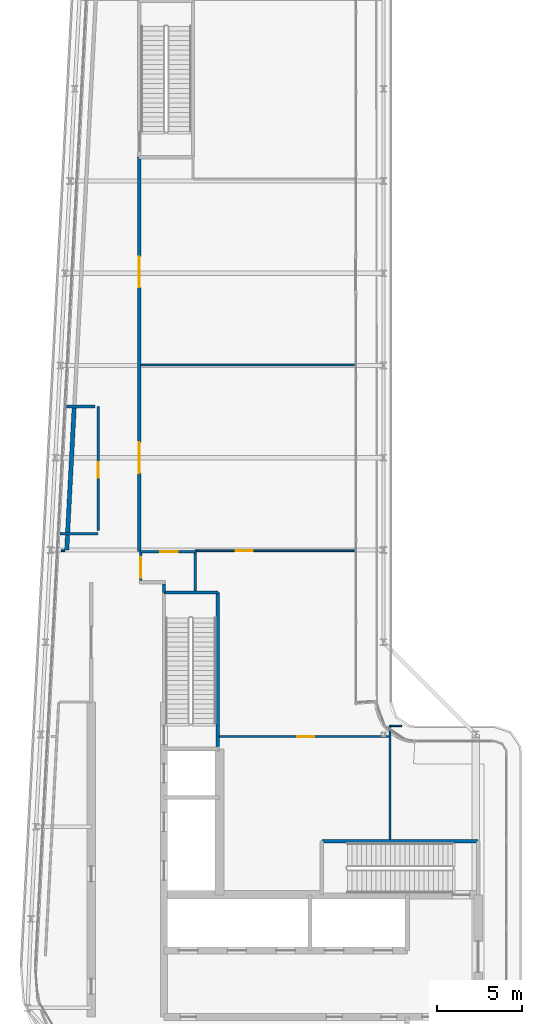
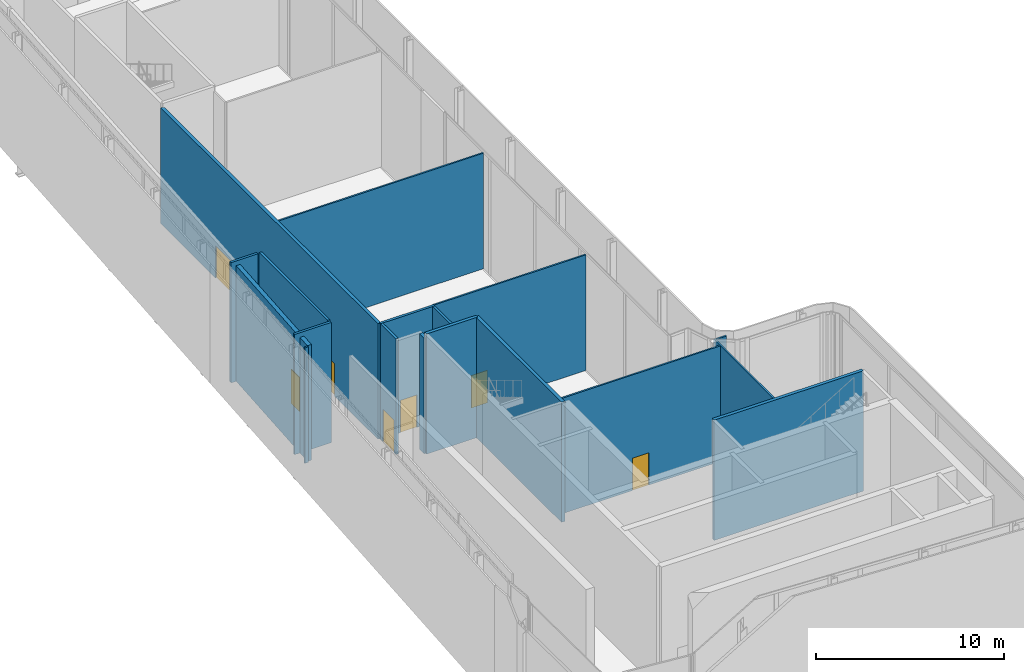
# One storey, part 17 of 23: 19 walls, 7 doors, 7 openings.
"""IFC4 building model written with IfcOpenShell, lengths in metres."""

from ifc_helpers import new_model, si_unit, direction, frame, frame_2d, origin, place, context, subcontext, project, spatial, rectangle, extrude, source, transform, mapped, material, layer, layer_set, type_object, element, fill, save


model = new_model("IFC4")

# Units and contexts
model_context = context("Model", 3, precision=1e-05, world=origin(), true_north=direction((0.0, 1.0)))
body_context = subcontext(model_context, "Body", "Model", "MODEL_VIEW")
ifc_project = project(units=[si_unit("LENGTHUNIT", "METRE"), si_unit("AREAUNIT", "SQUARE_METRE"), si_unit("VOLUMEUNIT", "CUBIC_METRE"), si_unit("PLANEANGLEUNIT", "RADIAN"), si_unit("MASSUNIT", "GRAM", prefix="KILO")], contexts=[model_context])

# Site, building, storey
site_placement = place(None, origin())
site = spatial("IfcSite", under=ifc_project, at=site_placement, CompositionType="ELEMENT")
building_placement = place(site_placement, origin())
building = spatial("IfcBuilding", under=site, at=building_placement, Name="Kheshtan School and Residences Tower", CompositionType="ELEMENT")
storey_placement = place(building_placement, frame((0.0, 0.0, 389.0)))
storey = spatial("IfcBuildingStorey", under=building, at=storey_placement, Name="L92", CompositionType="ELEMENT", Elevation=389.0)

# Wall, openings, doors
ifc_material_1 = material(Name="Gypsum board on steel studs with fire boards", Category="steel")
ifc_layer_1 = layer(ifc_material_1, 0.199951171875)
ifc_layer_set_1 = layer_set([ifc_layer_1], Name="Corridor wall 200")
wall_type_1 = type_object("IfcWallType", Name="Corridor wall 200", PredefinedType="PARTITIONING", material=ifc_layer_set_1)
wall_1_placement = place(storey_placement, frame((33.300048828125, 56.302978515625, 0.0), z_axis=(0.0, 0.0, 1.0), x_axis=(0.0, 1.0, 0.0)))
wall_1 = element("IfcWall", 1, at=wall_1_placement, inside=storey, type_object=wall_type_1, Name="Partition L92-012", PredefinedType="PARTITIONING", context=body_context, shape_type="SweptSolid", body=[
    extrude(rectangle(XDim=23.096923828125, YDim=0.199951171875, at=frame_2d((11.54833984375, 0.0))), origin(), (0.0, 0.0, 1.0), 7.5),
])
opening_1_placement = place(wall_1_placement, frame((4.590087890625, 0.0, 0.0)))
opening_1 = element("IfcOpeningElement", 2, at=opening_1_placement, cuts=wall_1, Name="Opening D92-007", PredefinedType="OPENING", context=body_context, shape_type="SweptSolid", body=[
    extrude(rectangle(XDim=1.800048828125, YDim=2.10009765625, at=frame_2d((0.89990234375, 1.050048828125))), frame((0.0, 0.10986328125, 0.0), z_axis=(0.0, -1.0, 0.0), x_axis=(1.0, 0.0, 0.0)), (0.0, 0.0, 1.0), 0.219970703125),
])
opening_2_placement = place(wall_1_placement, frame((15.468994140625, 0.0, 0.0)))
opening_2 = element("IfcOpeningElement", 3, at=opening_2_placement, cuts=wall_1, Name="Opening D92-008", PredefinedType="OPENING", context=body_context, shape_type="SweptSolid", body=[
    extrude(rectangle(XDim=1.800048828125, YDim=2.10009765625, at=frame_2d((0.89990234375, 1.050048828125))), frame((0.0, 0.10986328125, 0.0), z_axis=(0.0, -1.0, 0.0), x_axis=(1.0, 0.0, 0.0)), (0.0, 0.0, 1.0), 0.219970703125),
])
ifc_material_2 = material(Name="Steel-framed fire-resisting door leaf", Category="steel")
door_type_1 = type_object("IfcDoorType", Name="Fire double door FD60 1800 x 2100", OperationType="DOUBLE_DOOR_SINGLE_SWING", PredefinedType="DOOR", material=ifc_material_2)
shared_shape_1 = source(origin(), body_context, "Body", "SweptSolid", [
    extrude(rectangle(XDim=1.800048828125, YDim=2.10009765625, at=frame_2d((0.89990234375, 1.050048828125))), frame((0.0, 0.02490234375, 0.0), z_axis=(0.0, -1.0, 0.0), x_axis=(1.0, 0.0, 0.0)), (0.0, 0.0, 1.0), 0.050048828125),
])
door_1_placement = place(opening_1_placement, origin())
door_1 = element("IfcDoor", 4, at=door_1_placement, inside=storey, type_object=door_type_1, Name="Door D92-007", OperationType="DOUBLE_DOOR_SINGLE_SWING", OverallHeight=2.10009765625, OverallWidth=1.800048828125, PredefinedType="DOOR", context=body_context, shape_type="MappedRepresentation", body=[
    mapped(shared_shape_1, transform((0.0, 0.0, 0.0), x_axis=(1.0, 0.0, 0.0), y_axis=(0.0, 1.0, 0.0), z_axis=(0.0, 0.0, 1.0), scale=1.0)),
])
fill(opening_1, door_1)
door_2_placement = place(opening_2_placement, origin())
door_2 = element("IfcDoor", 5, at=door_2_placement, inside=storey, type_object=door_type_1, Name="Door D92-008", OperationType="DOUBLE_DOOR_SINGLE_SWING", OverallHeight=2.10009765625, OverallWidth=1.800048828125, PredefinedType="DOOR", context=body_context, shape_type="MappedRepresentation", body=[
    mapped(shared_shape_1, transform((0.0, 0.0, 0.0), x_axis=(1.0, 0.0, 0.0), y_axis=(0.0, 1.0, 0.0), z_axis=(0.0, 0.0, 1.0), scale=1.0)),
])
fill(opening_2, door_2)

# Walls
wall_2_placement = place(storey_placement, frame((34.75, 53.909912109375, 0.0), z_axis=(0.0, 0.0, 1.0), x_axis=(0.0, 1.0, 0.0)))
element("IfcWall", 6, at=wall_2_placement, inside=storey, type_object=wall_type_1, Name="Partition L92-020", PredefinedType="PARTITIONING", context=body_context, shape_type="SweptSolid", body=[
    extrude(rectangle(XDim=0.489990234375, YDim=0.199951171875, at=frame_2d((0.2451171875, 0.0))), origin(), (0.0, 0.0, 1.0), 7.5),
])
ifc_material_3 = material(Name="Gypsum board on steel studs", Category="steel")
ifc_layer_2 = layer(ifc_material_3, 0.10009765625)
ifc_layer_set_2 = layer_set([ifc_layer_2], Name="Gypsum partition 100")
wall_type_2 = type_object("IfcWallType", Name="Gypsum partition 100", PredefinedType="PARTITIONING", material=ifc_layer_set_2)
wall_3_placement = place(storey_placement, frame((28.72412109375, 56.35302734375, 0.0), z_axis=(0.0, 0.0, 1.0), x_axis=(1.0, 0.0, 0.0)))
element("IfcWall", 7, at=wall_3_placement, inside=storey, type_object=wall_type_2, Name="Partition L92-005", PredefinedType="PARTITIONING", context=body_context, shape_type="SweptSolid", body=[
    extrude(rectangle(XDim=0.204833984375, YDim=0.10009765625, at=frame_2d((0.1025390625, 0.0))), origin(), (0.0, 0.0, 1.0), 7.5),
])
wall_4_placement = place(storey_placement, frame((33.39990234375, 67.23193359375, 0.0), z_axis=(0.0, 0.0, 1.0), x_axis=(1.0, 0.0, 0.0)))
element("IfcWall", 8, at=wall_4_placement, inside=storey, type_object=wall_type_2, Name="Partition L92-018", PredefinedType="PARTITIONING", context=body_context, shape_type="SweptSolid", body=[
    extrude(rectangle(XDim=12.570068359375, YDim=0.10009765625, at=frame_2d((6.28515625, 0.0))), origin(), (0.0, 0.0, 1.0), 7.5),
])

# Wall, opening, door
wall_5_placement = place(storey_placement, frame((36.593017578125, 56.35302734375, 0.0), z_axis=(0.0, 0.0, 1.0), x_axis=(1.0, 0.0, 0.0)))
wall_5 = element("IfcWall", 9, at=wall_5_placement, inside=storey, type_object=wall_type_2, Name="Partition L92-024", PredefinedType="PARTITIONING", context=body_context, shape_type="SweptSolid", body=[
    extrude(rectangle(XDim=9.376953125, YDim=0.10009765625, at=frame_2d((4.6884765625, 0.0))), origin(), (0.0, 0.0, 1.0), 7.5),
])
opening_3_placement = place(wall_5_placement, frame((2.35693359375, 0.0, 0.0)))
opening_3 = element("IfcOpeningElement", 10, at=opening_3_placement, cuts=wall_5, Name="Opening D92-005", PredefinedType="OPENING", context=body_context, shape_type="SweptSolid", body=[
    extrude(rectangle(XDim=1.0, YDim=2.10009765625, at=frame_2d((0.5, 1.050048828125))), frame((0.0, 0.06005859375, 0.0), z_axis=(0.0, -1.0, 0.0), x_axis=(1.0, 0.0, 0.0)), (0.0, 0.0, 1.0), 0.1201171875),
])
ifc_material_4 = material(Name="Veneered timber door leaf", Category="wood")
door_type_2 = type_object("IfcDoorType", Name="Door 1000 x 2100", OperationType="SINGLE_SWING_LEFT", PredefinedType="DOOR", material=ifc_material_4)
shared_shape_2 = source(origin(), body_context, "Body", "SweptSolid", [
    extrude(rectangle(XDim=1.0, YDim=2.10009765625, at=frame_2d((0.5, 1.050048828125))), frame((0.0, 0.02490234375, 0.0), z_axis=(0.0, -1.0, 0.0), x_axis=(1.0, 0.0, 0.0)), (0.0, 0.0, 1.0), 0.050048828125),
])
door_3_placement = place(opening_3_placement, origin())
door_3 = element("IfcDoor", 11, at=door_3_placement, inside=storey, type_object=door_type_2, Name="Door D92-005", OperationType="SINGLE_SWING_LEFT", OverallHeight=2.10009765625, OverallWidth=1.0, PredefinedType="DOOR", context=body_context, shape_type="MappedRepresentation", body=[
    mapped(shared_shape_2, transform((0.0, 0.0, 0.0), x_axis=(1.0, 0.0, 0.0), y_axis=(0.0, 1.0, 0.0), z_axis=(0.0, 0.0, 1.0), scale=1.0)),
])
fill(opening_3, door_3)

wall_6_placement = place(storey_placement, frame((37.9990234375, 45.472900390625, 0.0), z_axis=(0.0, 0.0, 1.0), x_axis=(1.0, 0.0, 0.0)))
wall_6 = element("IfcWall", 12, at=wall_6_placement, inside=storey, type_object=wall_type_2, Name="Partition L92-025", PredefinedType="PARTITIONING", context=body_context, shape_type="SweptSolid", body=[
    extrude(rectangle(XDim=9.94091796875, YDim=0.10009765625, at=frame_2d((4.970458984375, 0.0))), origin(), (0.0, 0.0, 1.0), 7.5),
])
opening_4_placement = place(wall_6_placement, frame((4.551025390625, 0.0, 0.0)))
opening_4 = element("IfcOpeningElement", 13, at=opening_4_placement, cuts=wall_6, Name="Opening D92-006", PredefinedType="OPENING", context=body_context, shape_type="SweptSolid", body=[
    extrude(rectangle(XDim=1.0, YDim=2.10009765625, at=frame_2d((0.5, 1.050048828125))), frame((0.0, 0.06005859375, 0.0), z_axis=(0.0, -1.0, 0.0), x_axis=(1.0, 0.0, 0.0)), (0.0, 0.0, 1.0), 0.1201171875),
])
door_4_placement = place(opening_4_placement, origin())
door_4 = element("IfcDoor", 14, at=door_4_placement, inside=storey, type_object=door_type_2, Name="Door D92-006", OperationType="SINGLE_SWING_LEFT", OverallHeight=2.10009765625, OverallWidth=1.0, PredefinedType="DOOR", context=body_context, shape_type="MappedRepresentation", body=[
    mapped(shared_shape_2, transform((0.0, 0.0, 0.0), x_axis=(1.0, 0.0, 0.0), y_axis=(0.0, 1.0, 0.0), z_axis=(0.0, 0.0, 1.0), scale=1.0)),
])
fill(opening_4, door_4)

# Walls
wall_7_placement = place(storey_placement, frame((47.989990234375, 39.448974609375, 0.0), z_axis=(0.0, 0.0, 1.0), x_axis=(0.0, 1.0, 0.0)))
element("IfcWall", 15, at=wall_7_placement, inside=storey, type_object=wall_type_2, Name="Partition L92-026", PredefinedType="PARTITIONING", context=body_context, shape_type="SweptSolid", body=[
    extrude(rectangle(XDim=6.700927734375, YDim=0.10009765625, at=frame_2d((3.3505859375, 0.0))), origin(), (0.0, 0.0, 1.0), 7.5),
])
wall_8_placement = place(storey_placement, frame((48.0400390625, 46.10009765625, 0.0), z_axis=(0.0, 0.0, 1.0), x_axis=(1.0, 0.0, 0.0)))
element("IfcWall", 16, at=wall_8_placement, inside=storey, type_object=wall_type_2, Name="Partition L92-027", PredefinedType="PARTITIONING", context=body_context, shape_type="SweptSolid", body=[
    extrude(rectangle(XDim=0.64404296875, YDim=0.10009765625, at=frame_2d((0.322021484375, 0.0))), origin(), (0.0, 0.0, 1.0), 7.5),
])
ifc_material_5 = material(Name="Fire-board and steel stud wall with mineral wool", Category="steel")
ifc_layer_3 = layer(ifc_material_5, 0.25)
ifc_layer_set_3 = layer_set([ifc_layer_3], Name="Plant room wall 250")
wall_type_3 = type_object("IfcWallType", Name="Plant room wall 250", PredefinedType="PARTITIONING", material=ifc_layer_set_3)
wall_9_placement = place(storey_placement, frame((29.05810546875, 56.403076171875, 0.0), z_axis=(0.0, 0.0, 1.0), x_axis=(0.052573510687, 0.998617056721, 0.0)))
element("IfcWall", 17, at=wall_9_placement, inside=storey, type_object=wall_type_3, Name="Partition L92-006", PredefinedType="PARTITIONING", context=body_context, shape_type="SweptSolid", body=[
    extrude(rectangle(XDim=0.873046875, YDim=0.25, at=frame_2d((0.4365234375, 0.0))), origin(), (0.0, 0.0, 1.0), 7.5),
])
wall_10_placement = place(storey_placement, frame((29.10791015625, 57.423095703125, 0.0), z_axis=(0.0, 0.0, 1.0), x_axis=(0.052513275685, 0.99862022605, 0.0)))
element("IfcWall", 18, at=wall_10_placement, inside=storey, type_object=wall_type_3, Name="Partition L92-007", PredefinedType="PARTITIONING", context=body_context, shape_type="SweptSolid", body=[
    extrude(rectangle(XDim=7.31298828125, YDim=0.25, at=frame_2d((3.656494140625, 0.0))), origin(), (0.0, 0.0, 1.0), 7.5),
])
ifc_material_6 = material(Name="Fire-board shaft wall system")
ifc_layer_4 = layer(ifc_material_6, 0.14990234375)
ifc_layer_set_4 = layer_set([ifc_layer_4], Name="Service room wall 150")
wall_type_4 = type_object("IfcWallType", Name="Service room wall 150", PredefinedType="PARTITIONING", material=ifc_layer_set_4)
wall_11_placement = place(storey_placement, frame((28.657958984375, 57.34912109375, 0.0), z_axis=(0.0, 0.0, 1.0), x_axis=(1.0, 0.0, 0.0)))
element("IfcWall", 19, at=wall_11_placement, inside=storey, type_object=wall_type_4, Name="Service room wall", PredefinedType="PARTITIONING", context=body_context, shape_type="SweptSolid", body=[
    extrude(rectangle(XDim=2.241943359375, YDim=0.14990234375, at=frame_2d((1.12109375, 0.0))), origin(), (0.0, 0.0, 1.0), 7.800048828125),
])

# Wall, opening, door
wall_12_placement = place(storey_placement, frame((30.89990234375, 57.5439453125, 0.0), z_axis=(0.0, 0.0, 1.0), x_axis=(0.0, 1.0, 0.0)))
wall_12 = element("IfcWall", 20, at=wall_12_placement, inside=storey, type_object=wall_type_4, Name="Service room wall", PredefinedType="PARTITIONING", context=body_context, shape_type="SweptSolid", body=[
    extrude(rectangle(XDim=7.256103515625, YDim=0.14990234375, at=frame_2d((3.6279296875, 0.0))), origin(), (0.0, 0.0, 1.0), 7.800048828125),
])
opening_5_placement = place(wall_12_placement, frame((3.080078125, 0.0, 0.0)))
opening_5 = element("IfcOpeningElement", 21, at=opening_5_placement, cuts=wall_12, Name="Opening SR90", PredefinedType="OPENING", context=body_context, shape_type="SweptSolid", body=[
    extrude(rectangle(XDim=0.89990234375, YDim=2.199951171875, at=frame_2d((0.449951171875, 1.10009765625))), frame((0.0, 0.0849609375, 0.0), z_axis=(0.0, -1.0, 0.0), x_axis=(1.0, 0.0, 0.0)), (0.0, 0.0, 1.0), 0.169921875),
])
ifc_material_7 = material(Name="Steel door leaf, galvanised", Category="steel")
door_type_3 = type_object("IfcDoorType", Name="Service room door 900 steel 90 min", OperationType="SINGLE_SWING_LEFT", PredefinedType="DOOR", material=ifc_material_7)
shared_shape_3 = source(origin(), body_context, "Body", "SweptSolid", [
    extrude(rectangle(XDim=0.89990234375, YDim=2.199951171875, at=frame_2d((0.449951171875, 1.10009765625))), frame((0.0, 0.02490234375, 0.0), z_axis=(0.0, -1.0, 0.0), x_axis=(1.0, 0.0, 0.0)), (0.0, 0.0, 1.0), 0.050048828125),
])
door_5_placement = place(opening_5_placement, origin())
door_5 = element("IfcDoor", 22, at=door_5_placement, inside=storey, type_object=door_type_3, Name="Service room door", OperationType="SINGLE_SWING_LEFT", OverallHeight=2.199951171875, OverallWidth=0.89990234375, PredefinedType="DOOR", context=body_context, shape_type="MappedRepresentation", body=[
    mapped(shared_shape_3, transform((0.0, 0.0, 0.0), x_axis=(1.0, 0.0, 0.0), y_axis=(0.0, 1.0, 0.0), z_axis=(0.0, 0.0, 1.0), scale=1.0)),
])
fill(opening_5, door_5)

# Walls
wall_13_placement = place(storey_placement, frame((29.050048828125, 64.800048828125, 0.0), z_axis=(0.0, 0.0, 1.0), x_axis=(1.0, 0.0, 0.0)))
element("IfcWall", 23, at=wall_13_placement, inside=storey, type_object=wall_type_4, Name="Service room wall", PredefinedType="PARTITIONING", context=body_context, shape_type="SweptSolid", body=[
    extrude(rectangle(XDim=1.655029296875, YDim=0.14990234375, at=frame_2d((0.82763671875, 0.0))), origin(), (0.0, 0.0, 1.0), 7.800048828125),
])
ifc_material_8 = material(Name="Concrete C40/50", Category="concrete")
ifc_layer_5 = layer(ifc_material_8, 0.199951171875)
ifc_layer_set_5 = layer_set([ifc_layer_5], Name="Stair enclosure wall 200 Concrete C40/50")
wall_type_5 = type_object("IfcWallType", Name="Stair enclosure wall 200 Concrete C40/50", PredefinedType="SHEAR", material=ifc_layer_set_5)
wall_14_placement = place(storey_placement, frame((43.989990234375, 39.35009765625, 0.0), z_axis=(0.0, 0.0, 1.0), x_axis=(1.0, 0.0, 0.0)))
element("IfcWall", 24, at=wall_14_placement, inside=storey, type_object=wall_type_5, Name="Stair enclosure wall ST1", PredefinedType="SHEAR", context=body_context, shape_type="SweptSolid", body=[
    extrude(rectangle(XDim=9.159912109375, YDim=0.199951171875, at=frame_2d((4.580078125, 0.0))), origin(), (0.0, 0.0, 1.0), 7.800048828125),
])
wall_15_placement = place(storey_placement, frame((34.75, 53.909912109375, 0.0), z_axis=(0.0, 0.0, 1.0), x_axis=(1.0, 0.0, 0.0)))
element("IfcWall", 25, at=wall_15_placement, inside=storey, type_object=wall_type_5, Name="Stair enclosure wall ST2", PredefinedType="SHEAR", context=body_context, shape_type="SweptSolid", body=[
    extrude(rectangle(XDim=3.14990234375, YDim=0.199951171875, at=frame_2d((1.574951171875, 0.0))), origin(), (0.0, 0.0, 1.0), 7.800048828125),
])
wall_16_placement = place(storey_placement, frame((37.89990234375, 44.75, 0.0), z_axis=(0.0, 0.0, 1.0), x_axis=(0.0, 1.0, 0.0)))
element("IfcWall", 26, at=wall_16_placement, inside=storey, type_object=wall_type_5, Name="Stair enclosure wall ST2", PredefinedType="SHEAR", context=body_context, shape_type="SweptSolid", body=[
    extrude(rectangle(XDim=9.159912109375, YDim=0.199951171875, at=frame_2d((4.580078125, 0.0))), origin(), (0.0, 0.0, 1.0), 7.800048828125),
])

# Wall, opening, door
ifc_material_9 = material(Name="Moisture-resistant gypsum board on steel studs", Category="steel")
ifc_layer_6 = layer(ifc_material_9, 0.14990234375)
ifc_layer_set_6 = layer_set([ifc_layer_6], Name="Wet-room partition 150")
wall_type_6 = type_object("IfcWallType", Name="Wet-room partition 150", PredefinedType="PARTITIONING", material=ifc_layer_set_6)
wall_17_placement = place(storey_placement, frame((33.318115234375, 56.300048828125, 0.0), z_axis=(0.0, 0.0, 1.0), x_axis=(1.0, 0.0, 0.0)))
wall_17 = element("IfcWall", 27, at=wall_17_placement, inside=storey, type_object=wall_type_6, Name="Partition L92-015", PredefinedType="PARTITIONING", context=body_context, shape_type="SweptSolid", body=[
    extrude(rectangle(XDim=3.349853515625, YDim=0.14990234375, at=frame_2d((1.6748046875, 0.0))), origin(), (0.0, 0.0, 1.0), 7.5),
])
opening_6_placement = place(wall_17_placement, frame((1.22509765625, 0.0, 0.0)))
opening_6 = element("IfcOpeningElement", 28, at=opening_6_placement, cuts=wall_17, Name="Opening D92-003", PredefinedType="OPENING", context=body_context, shape_type="SweptSolid", body=[
    extrude(rectangle(XDim=1.0, YDim=2.10009765625, at=frame_2d((0.5, 1.050048828125))), frame((0.0, 0.0849609375, 0.0), z_axis=(0.0, -1.0, 0.0), x_axis=(1.0, 0.0, 0.0)), (0.0, 0.0, 1.0), 0.169921875),
])
door_6_placement = place(opening_6_placement, origin())
door_6 = element("IfcDoor", 29, at=door_6_placement, inside=storey, type_object=door_type_2, Name="Door D92-003", OperationType="SINGLE_SWING_LEFT", OverallHeight=2.10009765625, OverallWidth=1.0, PredefinedType="DOOR", context=body_context, shape_type="MappedRepresentation", body=[
    mapped(shared_shape_2, transform((0.0, 0.0, 0.0), x_axis=(1.0, 0.0, 0.0), y_axis=(0.0, 1.0, 0.0), z_axis=(0.0, 0.0, 1.0), scale=1.0)),
])
fill(opening_6, door_6)

wall_18_placement = place(storey_placement, frame((33.39306640625, 54.60009765625, 0.0), z_axis=(0.0, 0.0, 1.0), x_axis=(0.0, 1.0, 0.0)))
wall_18 = element("IfcWall", 30, at=wall_18_placement, inside=storey, type_object=wall_type_6, Name="Partition L92-016", PredefinedType="PARTITIONING", context=body_context, shape_type="SweptSolid", body=[
    extrude(rectangle(XDim=1.625, YDim=0.14990234375, at=frame_2d((0.8125, 0.0))), origin(), (0.0, 0.0, 1.0), 7.5),
])
opening_7_placement = place(wall_18_placement, frame((0.179931640625, 0.0, 0.0)))
opening_7 = element("IfcOpeningElement", 31, at=opening_7_placement, cuts=wall_18, Name="Opening D92-004", PredefinedType="OPENING", context=body_context, shape_type="SweptSolid", body=[
    extrude(rectangle(XDim=1.199951171875, YDim=2.10009765625, at=frame_2d((0.60009765625, 1.050048828125))), frame((0.0, 0.0849609375, 0.0), z_axis=(0.0, -1.0, 0.0), x_axis=(1.0, 0.0, 0.0)), (0.0, 0.0, 1.0), 0.169921875),
])
door_type_4 = type_object("IfcDoorType", Name="Door 1200 x 2100", OperationType="SINGLE_SWING_LEFT", PredefinedType="DOOR", material=ifc_material_4)
shared_shape_4 = source(origin(), body_context, "Body", "SweptSolid", [
    extrude(rectangle(XDim=1.199951171875, YDim=2.10009765625, at=frame_2d((0.60009765625, 1.050048828125))), frame((0.0, 0.02490234375, 0.0), z_axis=(0.0, -1.0, 0.0), x_axis=(1.0, 0.0, 0.0)), (0.0, 0.0, 1.0), 0.050048828125),
])
door_7_placement = place(opening_7_placement, origin())
door_7 = element("IfcDoor", 32, at=door_7_placement, inside=storey, type_object=door_type_4, Name="Door D92-004", OperationType="SINGLE_SWING_RIGHT", OverallHeight=2.10009765625, OverallWidth=1.199951171875, PredefinedType="DOOR", context=body_context, shape_type="MappedRepresentation", body=[
    mapped(shared_shape_4, transform((0.0, 0.0, 0.0), x_axis=(1.0, 0.0, 0.0), y_axis=(0.0, 1.0, 0.0), z_axis=(0.0, 0.0, 1.0), scale=1.0)),
])
fill(opening_7, door_7)

# Wall
wall_19_placement = place(storey_placement, frame((36.593017578125, 54.009033203125, 0.0), z_axis=(0.0, 0.0, 1.0), x_axis=(0.0, 1.0, 0.0)))
element("IfcWall", 33, at=wall_19_placement, inside=storey, type_object=wall_type_6, Name="Partition L92-023", PredefinedType="PARTITIONING", context=body_context, shape_type="SweptSolid", body=[
    extrude(rectangle(XDim=2.216064453125, YDim=0.14990234375, at=frame_2d((1.10791015625, 0.0))), origin(), (0.0, 0.0, 1.0), 7.5),
])

save(model, "model.ifc")
